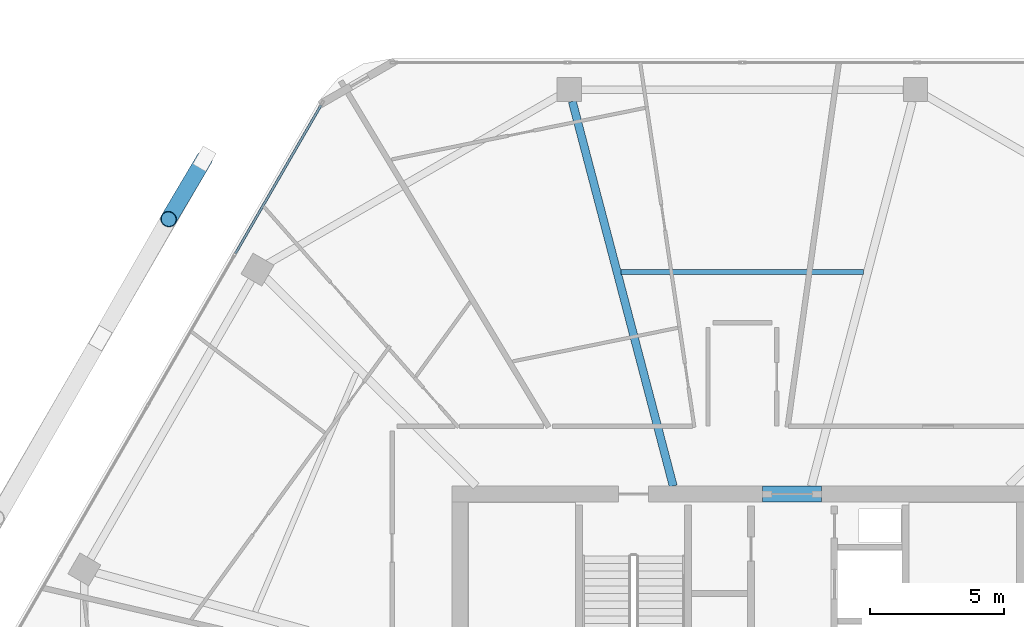
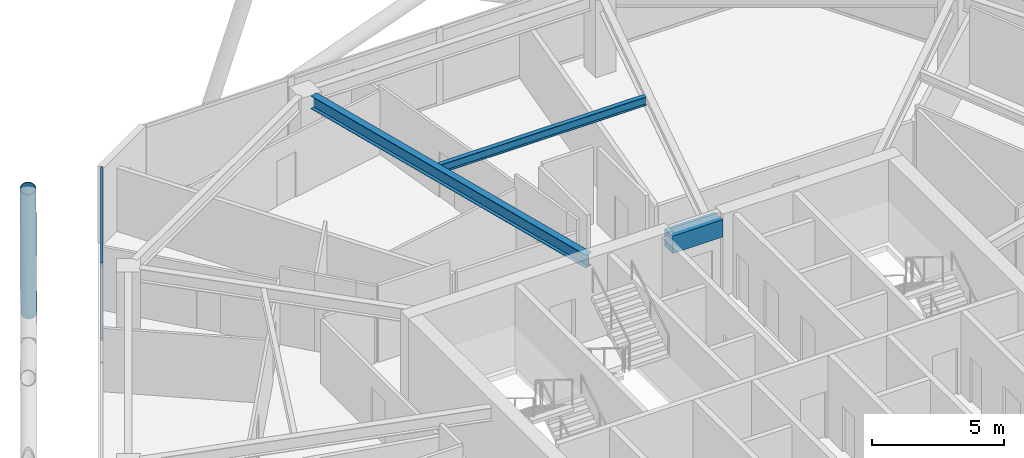
# One storey, part 14 of 27: 3 beams, 3 members, 1 element without a shape of its own.
"""IFC4 building model written with IfcOpenShell, lengths in metres."""

from ifc_helpers import new_model, si_unit, direction, frame, origin, origin_2d, place, context, subcontext, project, spatial, rectangle, hollow_rectangle, hollow_circle, i_section, extrude, material, material_profile, profile_set, type_object, element, aggregate, save


model = new_model("IFC4")

# Units and contexts
model_context = context("Model", 3, precision=1e-05, world=origin(), true_north=direction((0.0, 1.0)))
body_context = subcontext(model_context, "Body", "Model", "MODEL_VIEW")
ifc_project = project(units=[si_unit("LENGTHUNIT", "METRE"), si_unit("AREAUNIT", "SQUARE_METRE"), si_unit("VOLUMEUNIT", "CUBIC_METRE"), si_unit("PLANEANGLEUNIT", "RADIAN"), si_unit("MASSUNIT", "GRAM", prefix="KILO")], contexts=[model_context])

# Site, building, storey
site_placement = place(None, origin())
site = spatial("IfcSite", under=ifc_project, at=site_placement, CompositionType="ELEMENT")
building_placement = place(site_placement, origin())
building = spatial("IfcBuilding", under=site, at=building_placement, Name="Zuhravey Tower", CompositionType="ELEMENT")
storey_placement = place(building_placement, frame((0.0, 0.0, 261.60009765625)))
storey = spatial("IfcBuildingStorey", under=building, at=storey_placement, Name="L66", CompositionType="ELEMENT", Elevation=261.60009765625)

# Beam
ifc_material_1 = material(Name="Concrete C50/60", Category="concrete")
ifc_material_profile_1 = material_profile(ifc_material_1, rectangle(XDim=0.60009765625, YDim=0.800048828125, at=origin_2d()), Name="RC-600x800")
ifc_profile_set_1 = profile_set([ifc_material_profile_1], Name="Concrete C50/60")
beam_type_1 = type_object("IfcBeamType", Name="Core Coupling Beam RC600x800", PredefinedType="LINTEL", material=ifc_profile_set_1)
beam_1_placement = place(storey_placement, frame((36.751953125, 41.5, 3.14990234375), z_axis=(1.0, 0.0, 0.0), x_axis=(0.0, 1.0, 0.0)))
element("IfcBeam", 1, at=beam_1_placement, inside=storey, type_object=beam_type_1, Name="L66 CB2 BM-L66-CB-N", PredefinedType="LINTEL", context=body_context, shape_type="SweptSolid", body=[
    extrude(rectangle(XDim=0.60009765625, YDim=0.800048828125, at=origin_2d()), origin(), (0.0, 0.0, 1.0), 2.196044921875),
])

# Curtain wall, members
ifc_material_2 = material(Name="Thermally broken anodised aluminium", Category="aluminium")
curtain_wall_type = type_object("IfcCurtainWallType", Name="Zone 3-4 High-Rise Curtain Wall CW4", PredefinedType="NOTDEFINED", material=ifc_material_2)
curtain_wall_placement = place(storey_placement, origin())
curtain_wall = element("IfcCurtainWall", 2, at=curtain_wall_placement, inside=storey, type_object=curtain_wall_type, Name="L66 CW4 CW-L66-F3-1", PredefinedType="NOTDEFINED")
ifc_material_3 = material(Name="Anodised aluminium", Category="aluminium")
ifc_material_profile_2 = material_profile(ifc_material_3, hollow_rectangle(XDim=0.090087890625, YDim=0.14990234375, WallThickness=0.0048828125, at=origin_2d()), Name="ALU-RHS-90x150x5")
ifc_profile_set_2 = profile_set([ifc_material_profile_2], Name="Anodised aluminium")
member_type_1 = type_object("IfcMemberType", Name="Curtain-Wall Transom 90x150", PredefinedType="USERDEFINED", material=ifc_profile_set_2)
member_1_placement = place(storey_placement, frame((17.136962890625, 50.455322265625, 0.044921875), z_axis=(0.499980071345, 0.866036909293, 0.0), x_axis=(-0.866036909293, 0.499980071345, 0.0)))
member_1 = element("IfcMember", 3, at=member_1_placement, type_object=member_type_1, Name="CW4 transom 4.1", ObjectType="TRANSOM", PredefinedType="USERDEFINED", context=body_context, shape_type="SweptSolid", body=[
    extrude(hollow_rectangle(XDim=0.090087890625, YDim=0.14990234375, WallThickness=0.0048828125, at=origin_2d()), origin(), (0.0, 0.0, 1.0), 6.371337890625),
])
member_2_placement = place(storey_placement, frame((17.136962890625, 50.455322265625, 3.5048828125), z_axis=(0.499980071345, 0.866036909293, 0.0), x_axis=(-0.866036909293, 0.499980071345, 0.0)))
member_2 = element("IfcMember", 4, at=member_2_placement, type_object=member_type_1, Name="CW4 transom 4.2", ObjectType="TRANSOM", PredefinedType="USERDEFINED", context=body_context, shape_type="SweptSolid", body=[
    extrude(hollow_rectangle(XDim=0.090087890625, YDim=0.14990234375, WallThickness=0.0048828125, at=origin_2d()), origin(), (0.0, 0.0, 1.0), 6.371337890625),
])
aggregate(curtain_wall, [member_1, member_2])

# Member
ifc_material_4 = material(Name="Steel SM355", Category="steel")
ifc_material_profile_3 = material_profile(ifc_material_4, hollow_circle(Radius=0.3046875, WallThickness=0.028076171875, at=origin_2d()), Name="CHS-609.6x28")
ifc_profile_set_3 = profile_set([ifc_material_profile_3], Name="Steel SM355")
member_type_2 = type_object("IfcMemberType", Name="Exoskeleton Zone 3 Diagrid CHS610x28", PredefinedType="BRACE", material=ifc_profile_set_3)
member_3_placement = place(storey_placement, frame((15.982421875, 53.975830078125, -0.446044921875), z_axis=(-0.166263547493, -0.280502989926, 0.945343591197), x_axis=(0.860238328743, -0.509892162876, 0.0)))
element("IfcMember", 5, at=member_3_placement, inside=storey, type_object=member_type_2, Name="L66 Face 3 Diagrid Brace 1", PredefinedType="BRACE", context=body_context, shape_type="SweptSolid", body=[
    extrude(hollow_circle(Radius=0.3046875, WallThickness=0.028076171875, at=origin_2d()), origin(), (0.0, 0.0, 1.0), 8.001220703125),
])

# Beams
ifc_material_profile_4 = material_profile(ifc_material_4, i_section(OverallWidth=0.300048828125, OverallDepth=0.60009765625, WebThickness=0.011962890625, FlangeThickness=0.02001953125, at=origin_2d()), Name="H-600x300x12x20")
ifc_profile_set_4 = profile_set([ifc_material_profile_4], Name="Steel SM355")
beam_type_2 = type_object("IfcBeamType", Name="Radial Primary Girder H600x300", PredefinedType="BEAM", material=ifc_profile_set_4)
beam_2_placement = place(storey_placement, frame((33.428466796875, 41.802978515625, 3.25), z_axis=(-0.253731415841, 0.967274712073, 0.0), x_axis=(-0.967274712073, -0.253731415841, 0.0)))
element("IfcBeam", 6, at=beam_2_placement, inside=storey, type_object=beam_type_2, Name="L66 RG3 BM-L66-RAD-04", PredefinedType="BEAM", context=body_context, shape_type="SweptSolid", body=[
    extrude(i_section(OverallWidth=0.300048828125, OverallDepth=0.60009765625, WebThickness=0.011962890625, FlangeThickness=0.02001953125, at=origin_2d()), origin(), (0.0, 0.0, 1.0), 14.796630859375),
])
ifc_material_profile_5 = material_profile(ifc_material_4, i_section(OverallWidth=0.199951171875, OverallDepth=0.39990234375, WebThickness=0.008056640625, FlangeThickness=0.012939453125, at=origin_2d()), Name="H-400x200x8x13")
ifc_profile_set_5 = profile_set([ifc_material_profile_5], Name="Steel SM355")
beam_type_3 = type_object("IfcBeamType", Name="Secondary Floor Joist H400x200", PredefinedType="JOIST", material=ifc_profile_set_5)
beam_3_placement = place(storey_placement, frame((40.507080078125, 49.768310546875, 3.349853515625), z_axis=(-1.0, 0.0, 0.0), x_axis=(0.0, -1.0, 0.0)))
element("IfcBeam", 7, at=beam_3_placement, inside=storey, type_object=beam_type_3, Name="L66 SJ2 BM-L66-SJ-03-1", PredefinedType="JOIST", context=body_context, shape_type="SweptSolid", body=[
    extrude(i_section(OverallWidth=0.199951171875, OverallDepth=0.39990234375, WebThickness=0.008056640625, FlangeThickness=0.012939453125, at=origin_2d()), origin(), (0.0, 0.0, 1.0), 9.01416015625),
])

save(model, "model.ifc")
